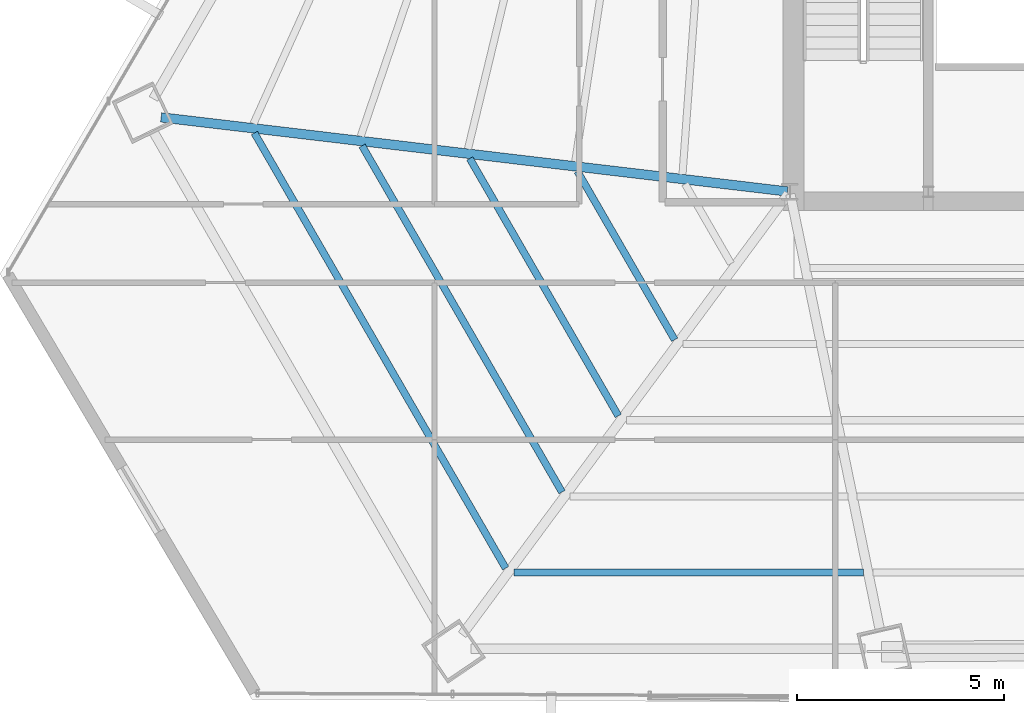
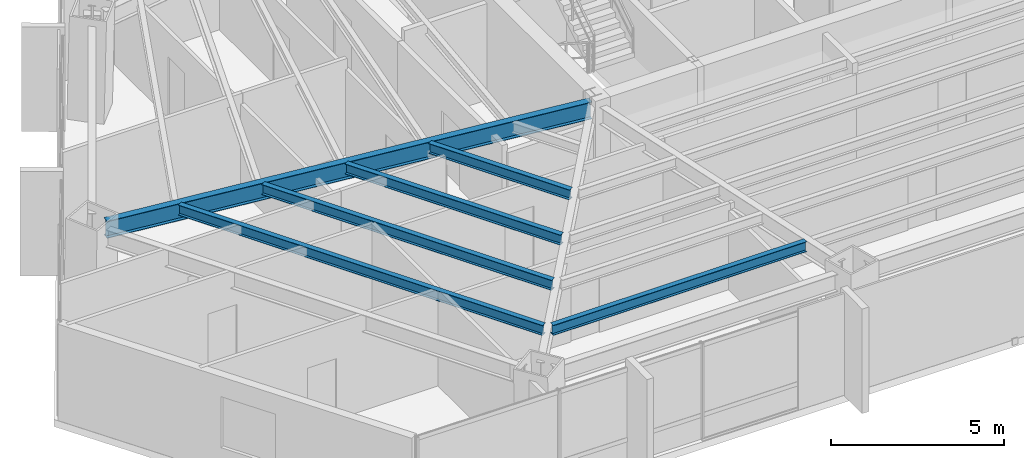
# One storey, part 7 of 37: 6 beams.
"""IFC4 building model written with IfcOpenShell, lengths in metres."""

from ifc_helpers import new_model, si_unit, direction, frame, origin, origin_2d, place, context, subcontext, project, spatial, i_section, extrude, source, transform, mapped, material, material_profile, profile_set, type_object, type_shapes, element, save


model = new_model("IFC4")

# Units and contexts
model_context = context("Model", 3, precision=1e-05, world=origin(), true_north=direction((0.0, 1.0)))
body_context = subcontext(model_context, "Body", "Model", "MODEL_VIEW")
ifc_project = project(units=[si_unit("LENGTHUNIT", "METRE"), si_unit("AREAUNIT", "SQUARE_METRE"), si_unit("VOLUMEUNIT", "CUBIC_METRE"), si_unit("PLANEANGLEUNIT", "RADIAN"), si_unit("MASSUNIT", "GRAM", prefix="KILO")], contexts=[model_context])

# Site, building, storey
site_placement = place(None, origin())
site = spatial("IfcSite", under=ifc_project, at=site_placement, CompositionType="ELEMENT")
building_placement = place(site_placement, origin())
building = spatial("IfcBuilding", under=site, at=building_placement, Name="Caelisora Broadcast Tower", CompositionType="ELEMENT")
storey_placement = place(building_placement, frame((0.0, 0.0, 101.75)))
storey = spatial("IfcBuildingStorey", under=building, at=storey_placement, Name="L26", CompositionType="ELEMENT", Elevation=101.75)

# Beams
ifc_material = material(Name="Steel Grade 350 (AS/NZS 3679.1)", Category="steel")
ifc_material_profile_1 = material_profile(ifc_material, i_section(OverallWidth=0.22802734375, OverallDepth=0.602294921875, WebThickness=0.010498046875, FlangeThickness=0.014892578125, at=origin_2d()), Name="Steel Grade 350 (AS/NZS 3679.1)")
ifc_profile_set_1 = profile_set([ifc_material_profile_1], Name="Steel Grade 350 (AS/NZS 3679.1)")
beam_type_1 = type_object("IfcBeamType", Name="PG04", PredefinedType="BEAM", material=ifc_profile_set_1)
shared_shape_1 = source(origin(), body_context, "Body", "SweptSolid", [
    extrude(i_section(OverallWidth=0.22802734375, OverallDepth=0.602294921875, WebThickness=0.010498046875, FlangeThickness=0.014892578125, at=origin_2d()), origin(), (0.0, 0.0, 1.0), 15.26220703125),
])
type_shapes(beam_type_1, [shared_shape_1])
beam_1_placement = place(storey_placement, frame((30.4404296875, 17.406982421875, 3.098876953125), z_axis=(-0.993069895621, 0.11752524159, 0.0), x_axis=(-0.11752524159, -0.993069895621, 0.0)))
element("IfcBeam", 1, at=beam_1_placement, inside=storey, type_object=beam_type_1, Name="L26 beam PG04", PredefinedType="BEAM", context=body_context, shape_type="MappedRepresentation", body=[
    mapped(shared_shape_1, transform((0.0, 0.0, 0.0), scale=1.0)),
])
ifc_material_profile_2 = material_profile(ifc_material, i_section(OverallWidth=0.172119140625, OverallDepth=0.358642578125, WebThickness=0.008056640625, FlangeThickness=0.012939453125, at=origin_2d()), Name="Steel Grade 350 (AS/NZS 3679.1)")
ifc_profile_set_2 = profile_set([ifc_material_profile_2], Name="Steel Grade 350 (AS/NZS 3679.1)")
beam_type_2 = type_object("IfcBeamType", Name="SB02", PredefinedType="JOIST", material=ifc_profile_set_2)
shared_shape_2 = source(origin(), body_context, "Body", "SweptSolid", [
    extrude(i_section(OverallWidth=0.172119140625, OverallDepth=0.358642578125, WebThickness=0.008056640625, FlangeThickness=0.012939453125, at=origin_2d()), origin(), (0.0, 0.0, 1.0), 4.7080078125),
])
beam_2_placement = place(storey_placement, frame((25.358642578125, 17.89599609375, 3.220703125), z_axis=(0.499987288472, -0.866032742664, 0.0), x_axis=(0.866032742664, 0.499987288472, 0.0)))
element("IfcBeam", 2, at=beam_2_placement, inside=storey, type_object=beam_type_2, Name="L26 beam SB02", PredefinedType="JOIST", context=body_context, shape_type="MappedRepresentation", body=[
    mapped(shared_shape_2, transform((0.0, 0.0, 0.0), scale=1.0)),
])
shared_shape_3 = source(origin(), body_context, "Body", "SweptSolid", [
    extrude(i_section(OverallWidth=0.172119140625, OverallDepth=0.358642578125, WebThickness=0.008056640625, FlangeThickness=0.012939453125, at=origin_2d()), origin(), (0.0, 0.0, 1.0), 7.1923828125),
])
beam_3_placement = place(storey_placement, frame((22.7529296875, 18.204345703125, 3.220703125), z_axis=(0.500027050864, -0.866009785398, 0.0), x_axis=(0.866009785398, 0.500027050864, 0.0)))
element("IfcBeam", 3, at=beam_3_placement, inside=storey, type_object=beam_type_2, Name="L26 beam SB02", PredefinedType="JOIST", context=body_context, shape_type="MappedRepresentation", body=[
    mapped(shared_shape_3, transform((0.0, 0.0, 0.0), scale=1.0)),
])
shared_shape_4 = source(origin(), body_context, "Body", "SweptSolid", [
    extrude(i_section(OverallWidth=0.172119140625, OverallDepth=0.358642578125, WebThickness=0.008056640625, FlangeThickness=0.012939453125, at=origin_2d()), origin(), (0.0, 0.0, 1.0), 9.6767578125),
])
beam_4_placement = place(storey_placement, frame((20.1474609375, 18.5126953125, 3.220703125), z_axis=(0.499997628298, -0.866026773083, 0.0), x_axis=(0.866026773083, 0.499997628298, 0.0)))
element("IfcBeam", 4, at=beam_4_placement, inside=storey, type_object=beam_type_2, Name="L26 beam SB02", PredefinedType="JOIST", context=body_context, shape_type="MappedRepresentation", body=[
    mapped(shared_shape_4, transform((0.0, 0.0, 0.0), scale=1.0)),
])
shared_shape_5 = source(origin(), body_context, "Body", "SweptSolid", [
    extrude(i_section(OverallWidth=0.172119140625, OverallDepth=0.358642578125, WebThickness=0.008056640625, FlangeThickness=0.012939453125, at=origin_2d()), origin(), (0.0, 0.0, 1.0), 12.1611328125),
])
beam_5_placement = place(storey_placement, frame((17.5419921875, 18.821044921875, 3.220703125), z_axis=(0.500003976293, -0.866023108059, 0.0), x_axis=(0.866023108059, 0.500003976293, 0.0)))
element("IfcBeam", 5, at=beam_5_placement, inside=storey, type_object=beam_type_2, Name="L26 beam SB02", PredefinedType="JOIST", context=body_context, shape_type="MappedRepresentation", body=[
    mapped(shared_shape_5, transform((0.0, 0.0, 0.0), scale=1.0)),
])
shared_shape_6 = source(origin(), body_context, "Body", "SweptSolid", [
    extrude(i_section(OverallWidth=0.172119140625, OverallDepth=0.358642578125, WebThickness=0.008056640625, FlangeThickness=0.012939453125, at=origin_2d()), origin(), (0.0, 0.0, 1.0), 8.458984375),
])
type_shapes(beam_type_2, [shared_shape_2, shared_shape_3, shared_shape_4, shared_shape_5, shared_shape_6])
beam_6_placement = place(storey_placement, frame((23.822021484375, 8.18408203125, 3.220703125), z_axis=(1.0, 0.0, 0.0), x_axis=(0.0, 1.0, 0.0)))
element("IfcBeam", 6, at=beam_6_placement, inside=storey, type_object=beam_type_2, Name="L26 beam SB02", PredefinedType="JOIST", context=body_context, shape_type="MappedRepresentation", body=[
    mapped(shared_shape_6, transform((0.0, 0.0, 0.0), scale=1.0)),
])

save(model, "model.ifc")
